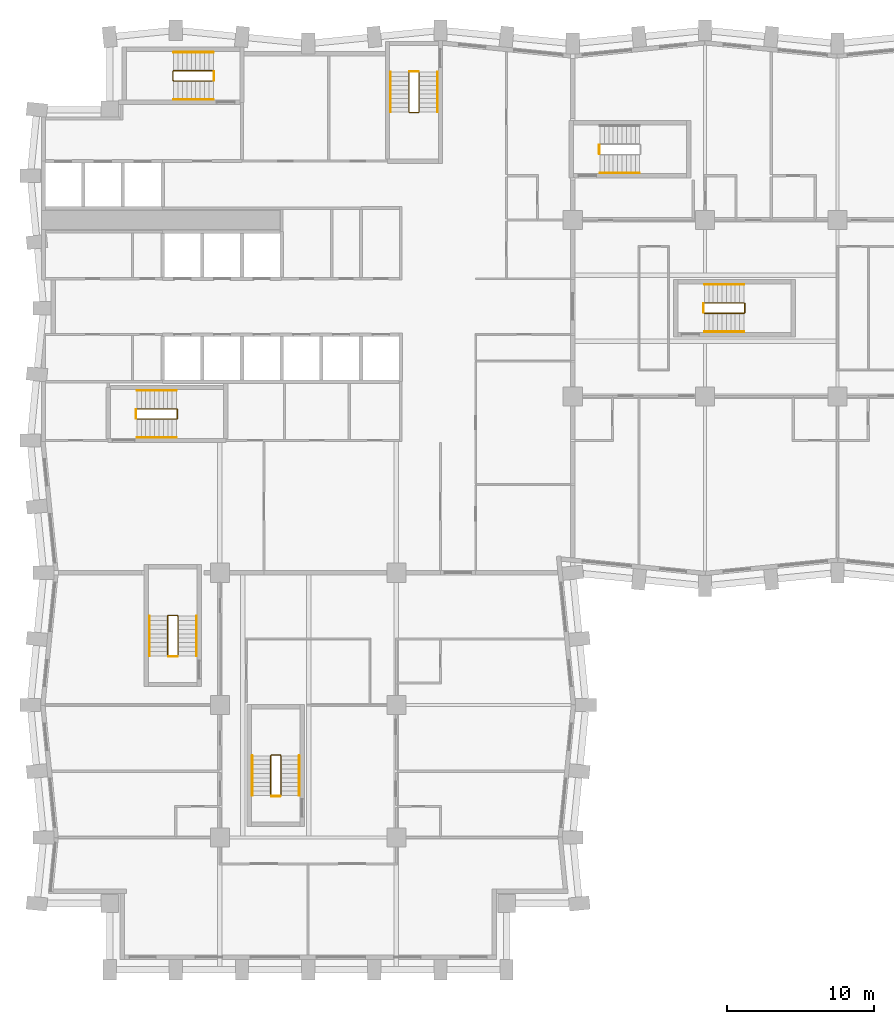
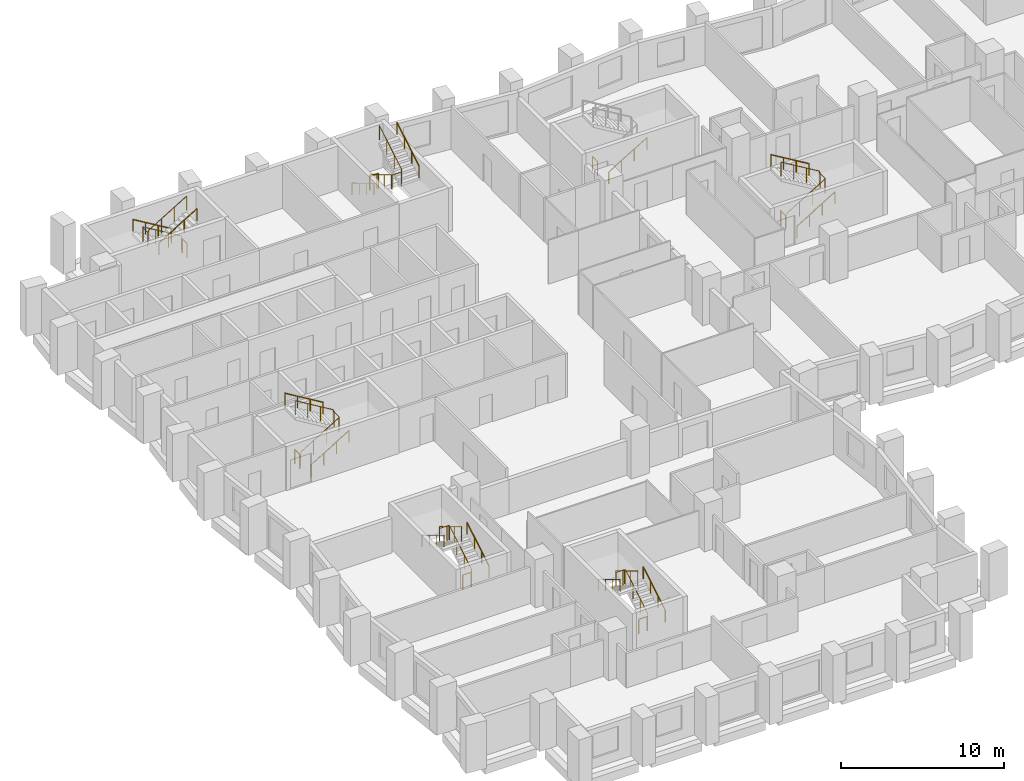
# One storey, part 11 of 12: 26 railings.
"""IFC4 building model written with IfcOpenShell, lengths in metres."""

from ifc_helpers import new_model, si_unit, direction, frame, origin, origin_2d, place, context, subcontext, project, spatial, circle, extrude, material, type_object, element, save


model = new_model("IFC4")

# Units and contexts
model_context = context("Model", 3, precision=1e-05, world=origin(), true_north=direction((0.0, 1.0)))
body_context = subcontext(model_context, "Body", "Model", "MODEL_VIEW")
ifc_project = project(units=[si_unit("LENGTHUNIT", "METRE"), si_unit("AREAUNIT", "SQUARE_METRE"), si_unit("VOLUMEUNIT", "CUBIC_METRE"), si_unit("PLANEANGLEUNIT", "RADIAN"), si_unit("MASSUNIT", "GRAM", prefix="KILO")], contexts=[model_context])

# Site, building, storey
site_placement = place(None, origin())
site = spatial("IfcSite", under=ifc_project, at=site_placement, CompositionType="ELEMENT")
building_placement = place(site_placement, origin())
building = spatial("IfcBuilding", under=site, at=building_placement, Name="Brondeck Convention Tower", CompositionType="ELEMENT")
storey_placement = place(building_placement, frame((0.0, 0.0, 62.699951171875)))
storey = spatial("IfcBuildingStorey", under=building, at=storey_placement, Name="L13", CompositionType="ELEMENT", Elevation=62.699951171875)

# Railings
ifc_material = material(Name="Steel S355", Category="steel")
railing_type_1 = type_object("IfcRailingType", Name="Stair guard 1100", PredefinedType="GUARDRAIL", material=ifc_material)
railing_1_placement = place(storey_placement, frame((6.35009765625, 37.449951171875, 0.179931640625)))
element("IfcRailing", 1, at=railing_1_placement, inside=storey, type_object=railing_type_1, Name="L13 ST-1 stair guard 1", PredefinedType="GUARDRAIL", context=body_context, shape_type="SweptSolid", body=[
    extrude(circle(Radius=0.02392578125, at=origin_2d()), frame((0.0, 0.0, 1.076171875), z_axis=(0.857472400752, 0.0, 0.514529962148), x_axis=(0.0, 1.0, 0.0)), (0.0, 0.0, 1.0), 3.148681640625),
    extrude(circle(Radius=0.02392578125, at=origin_2d()), frame((2.699951171875, 0.0, 2.6962890625), z_axis=(0.707106781187, 0.707106781187, 0.0), x_axis=(-0.707106781187, 0.707106781187, 0.0)), (0.0, 0.0, 1.0), 0.07080078125),
    extrude(circle(Radius=0.02392578125, at=origin_2d()), frame((2.75, 0.050048828125, 2.6962890625), z_axis=(0.0, 1.0, 0.0), x_axis=(-1.0, 0.0, 0.0)), (0.0, 0.0, 1.0), 0.60009765625),
    extrude(circle(Radius=0.02392578125, at=origin_2d()), frame((2.75, 0.650146484375, 2.6962890625), z_axis=(-0.258932105505, 0.257669022063, 0.930892496375), x_axis=(-0.705375805398, -0.708833529934, 0.0)), (0.0, 0.0, 1.0), 0.193359375),
    extrude(circle(Radius=0.02392578125, at=origin_2d()), frame((2.699951171875, 0.699951171875, 2.8759765625), z_axis=(-0.857472400752, 0.0, 0.514529962148), x_axis=(0.0, -1.0, 0.0)), (0.0, 0.0, 1.0), 3.148681640625),
    extrude(circle(Radius=0.02099609375, at=origin_2d()), origin(), (0.0, 0.0, 1.0), 1.052001953125),
    extrude(circle(Radius=0.02099609375, at=origin_2d()), frame((0.89990234375, 0.0, 0.5400390625)), (0.0, 0.0, 1.0), 1.052001953125),
    extrude(circle(Radius=0.02099609375, at=origin_2d()), frame((1.800048828125, 0.0, 1.080078125)), (0.0, 0.0, 1.0), 1.052001953125),
    extrude(circle(Radius=0.02099609375, at=origin_2d()), frame((2.699951171875, 0.0, 1.6201171875)), (0.0, 0.0, 1.0), 1.052001953125),
    extrude(circle(Radius=0.02099609375, at=origin_2d()), frame((2.75, 0.050048828125, 1.6201171875)), (0.0, 0.0, 1.0), 1.052001953125),
    extrude(circle(Radius=0.02099609375, at=origin_2d()), frame((2.75, 0.650146484375, 1.6201171875)), (0.0, 0.0, 1.0), 1.052001953125),
    extrude(circle(Radius=0.02099609375, at=origin_2d()), frame((2.699951171875, 0.699951171875, 1.800048828125)), (0.0, 0.0, 1.0), 1.052001953125),
    extrude(circle(Radius=0.02099609375, at=origin_2d()), frame((1.800048828125, 0.699951171875, 2.340087890625)), (0.0, 0.0, 1.0), 1.052001953125),
    extrude(circle(Radius=0.02099609375, at=origin_2d()), frame((0.89990234375, 0.699951171875, 2.880126953125)), (0.0, 0.0, 1.0), 1.052001953125),
    extrude(circle(Radius=0.02099609375, at=origin_2d()), frame((0.0, 0.699951171875, 3.420166015625)), (0.0, 0.0, 1.0), 1.052001953125),
])
railing_2_placement = place(storey_placement, frame((6.300048828125, 37.5, 0.0)))
element("IfcRailing", 2, at=railing_2_placement, inside=storey, type_object=railing_type_1, Name="L13 ST-1 stair guard 2", PredefinedType="GUARDRAIL", context=body_context, shape_type="SweptSolid", body=[
    extrude(circle(Radius=0.02392578125, at=origin_2d()), frame((0.0, 0.0, 1.076171875), z_axis=(0.0, 1.0, 0.0), x_axis=(-1.0, 0.0, 0.0)), (0.0, 0.0, 1.0), 0.60009765625),
    extrude(circle(Radius=0.02099609375, at=origin_2d()), origin(), (0.0, 0.0, 1.0), 1.052001953125),
    extrude(circle(Radius=0.02099609375, at=origin_2d()), frame((0.0, 0.60009765625, 0.0)), (0.0, 0.0, 1.0), 1.052001953125),
])
railing_3_placement = place(storey_placement, frame((24.85009765625, 61.050048828125, 0.179931640625)))
element("IfcRailing", 3, at=railing_3_placement, inside=storey, type_object=railing_type_1, Name="L13 ST-2 stair guard 1", PredefinedType="GUARDRAIL", context=body_context, shape_type="SweptSolid", body=[
    extrude(circle(Radius=0.02392578125, at=origin_2d()), frame((0.0, 0.0, 1.076171875), z_axis=(0.0, -0.857472400752, 0.514529962148), x_axis=(1.0, 0.0, 0.0)), (0.0, 0.0, 1.0), 3.148681640625),
    extrude(circle(Radius=0.02392578125, at=origin_2d()), frame((0.0, -2.699951171875, 2.6962890625), z_axis=(0.705375805398, -0.708833529934, 0.0), x_axis=(0.708833529934, 0.705375805398, 0.0)), (0.0, 0.0, 1.0), 0.070556640625),
    extrude(circle(Radius=0.02392578125, at=origin_2d()), frame((0.0498046875, -2.75, 2.6962890625), z_axis=(1.0, 0.0, 0.0), x_axis=(0.0, 1.0, 0.0)), (0.0, 0.0, 1.0), 0.60009765625),
    extrude(circle(Radius=0.02392578125, at=origin_2d()), frame((0.64990234375, -2.75, 2.6962890625), z_axis=(0.258847668887, 0.258847668887, 0.930588936439), x_axis=(-0.707106781187, 0.707106781187, 0.0)), (0.0, 0.0, 1.0), 0.193359375),
    extrude(circle(Radius=0.02392578125, at=origin_2d()), frame((0.699951171875, -2.699951171875, 2.8759765625), z_axis=(0.0, 0.857472400752, 0.514529962148), x_axis=(-1.0, 0.0, 0.0)), (0.0, 0.0, 1.0), 3.148681640625),
    extrude(circle(Radius=0.02099609375, at=origin_2d()), origin(), (0.0, 0.0, 1.0), 1.052001953125),
    extrude(circle(Radius=0.02099609375, at=origin_2d()), frame((0.0, -0.89990234375, 0.5400390625)), (0.0, 0.0, 1.0), 1.052001953125),
    extrude(circle(Radius=0.02099609375, at=origin_2d()), frame((0.0, -1.800048828125, 1.080078125)), (0.0, 0.0, 1.0), 1.052001953125),
    extrude(circle(Radius=0.02099609375, at=origin_2d()), frame((0.0, -2.699951171875, 1.6201171875)), (0.0, 0.0, 1.0), 1.052001953125),
    extrude(circle(Radius=0.02099609375, at=origin_2d()), frame((0.0498046875, -2.75, 1.6201171875)), (0.0, 0.0, 1.0), 1.052001953125),
    extrude(circle(Radius=0.02099609375, at=origin_2d()), frame((0.64990234375, -2.75, 1.6201171875)), (0.0, 0.0, 1.0), 1.052001953125),
    extrude(circle(Radius=0.02099609375, at=origin_2d()), frame((0.699951171875, -2.699951171875, 1.800048828125)), (0.0, 0.0, 1.0), 1.052001953125),
    extrude(circle(Radius=0.02099609375, at=origin_2d()), frame((0.699951171875, -1.800048828125, 2.340087890625)), (0.0, 0.0, 1.0), 1.052001953125),
    extrude(circle(Radius=0.02099609375, at=origin_2d()), frame((0.699951171875, -0.89990234375, 2.880126953125)), (0.0, 0.0, 1.0), 1.052001953125),
    extrude(circle(Radius=0.02099609375, at=origin_2d()), frame((0.699951171875, 0.0, 3.420166015625)), (0.0, 0.0, 1.0), 1.052001953125),
])
railing_4_placement = place(storey_placement, frame((24.89990234375, 61.10009765625, 0.0)))
element("IfcRailing", 4, at=railing_4_placement, inside=storey, type_object=railing_type_1, Name="L13 ST-2 stair guard 2", PredefinedType="GUARDRAIL", context=body_context, shape_type="SweptSolid", body=[
    extrude(circle(Radius=0.02392578125, at=origin_2d()), frame((0.0, 0.0, 1.076171875), z_axis=(1.0, 0.0, 0.0), x_axis=(0.0, 1.0, 0.0)), (0.0, 0.0, 1.0), 0.60009765625),
    extrude(circle(Radius=0.02099609375, at=origin_2d()), origin(), (0.0, 0.0, 1.0), 1.052001953125),
    extrude(circle(Radius=0.02099609375, at=origin_2d()), frame((0.60009765625, 0.0, 0.0)), (0.0, 0.0, 1.0), 1.052001953125),
])
railing_5_placement = place(storey_placement, frame((11.550048828125, 61.14990234375, 0.179931640625)))
element("IfcRailing", 5, at=railing_5_placement, inside=storey, type_object=railing_type_1, Name="L13 ST-3 stair guard 1", PredefinedType="GUARDRAIL", context=body_context, shape_type="SweptSolid", body=[
    extrude(circle(Radius=0.02392578125, at=origin_2d()), frame((0.0, 0.0, 1.076171875), z_axis=(-0.857472400752, 0.0, 0.514529962148), x_axis=(0.0, -1.0, 0.0)), (0.0, 0.0, 1.0), 3.148681640625),
    extrude(circle(Radius=0.02392578125, at=origin_2d()), frame((-2.699951171875, 0.0, 2.6962890625), z_axis=(-0.708833529934, -0.705375805398, 0.0), x_axis=(0.705375805398, -0.708833529934, 0.0)), (0.0, 0.0, 1.0), 0.070556640625),
    extrude(circle(Radius=0.02392578125, at=origin_2d()), frame((-2.75, -0.0498046875, 2.6962890625), z_axis=(0.0, -1.0, 0.0), x_axis=(1.0, 0.0, 0.0)), (0.0, 0.0, 1.0), 0.60009765625),
    extrude(circle(Radius=0.02392578125, at=origin_2d()), frame((-2.75, -0.64990234375, 2.6962890625), z_axis=(0.258847668887, -0.258847668887, 0.930588936439), x_axis=(0.707106781187, 0.707106781187, 0.0)), (0.0, 0.0, 1.0), 0.193359375),
    extrude(circle(Radius=0.02392578125, at=origin_2d()), frame((-2.699951171875, -0.699951171875, 2.8759765625), z_axis=(0.857472400752, 0.0, 0.514529962148), x_axis=(0.0, 1.0, 0.0)), (0.0, 0.0, 1.0), 3.148681640625),
    extrude(circle(Radius=0.02099609375, at=origin_2d()), origin(), (0.0, 0.0, 1.0), 1.052001953125),
    extrude(circle(Radius=0.02099609375, at=origin_2d()), frame((-0.89990234375, 0.0, 0.5400390625)), (0.0, 0.0, 1.0), 1.052001953125),
    extrude(circle(Radius=0.02099609375, at=origin_2d()), frame((-1.800048828125, 0.0, 1.080078125)), (0.0, 0.0, 1.0), 1.052001953125),
    extrude(circle(Radius=0.02099609375, at=origin_2d()), frame((-2.699951171875, 0.0, 1.6201171875)), (0.0, 0.0, 1.0), 1.052001953125),
    extrude(circle(Radius=0.02099609375, at=origin_2d()), frame((-2.75, -0.0498046875, 1.6201171875)), (0.0, 0.0, 1.0), 1.052001953125),
    extrude(circle(Radius=0.02099609375, at=origin_2d()), frame((-2.75, -0.64990234375, 1.6201171875)), (0.0, 0.0, 1.0), 1.052001953125),
    extrude(circle(Radius=0.02099609375, at=origin_2d()), frame((-2.699951171875, -0.699951171875, 1.800048828125)), (0.0, 0.0, 1.0), 1.052001953125),
    extrude(circle(Radius=0.02099609375, at=origin_2d()), frame((-1.800048828125, -0.699951171875, 2.340087890625)), (0.0, 0.0, 1.0), 1.052001953125),
    extrude(circle(Radius=0.02099609375, at=origin_2d()), frame((-0.89990234375, -0.699951171875, 2.880126953125)), (0.0, 0.0, 1.0), 1.052001953125),
    extrude(circle(Radius=0.02099609375, at=origin_2d()), frame((0.0, -0.699951171875, 3.420166015625)), (0.0, 0.0, 1.0), 1.052001953125),
])
railing_6_placement = place(storey_placement, frame((11.60009765625, 61.10009765625, 0.0)))
element("IfcRailing", 6, at=railing_6_placement, inside=storey, type_object=railing_type_1, Name="L13 ST-3 stair guard 2", PredefinedType="GUARDRAIL", context=body_context, shape_type="SweptSolid", body=[
    extrude(circle(Radius=0.02392578125, at=origin_2d()), frame((0.0, 0.0, 1.076171875), z_axis=(0.0, -1.0, 0.0), x_axis=(1.0, 0.0, 0.0)), (0.0, 0.0, 1.0), 0.60009765625),
    extrude(circle(Radius=0.02099609375, at=origin_2d()), origin(), (0.0, 0.0, 1.0), 1.052001953125),
    extrude(circle(Radius=0.02099609375, at=origin_2d()), frame((0.0, -0.60009765625, 0.0)), (0.0, 0.0, 1.0), 1.052001953125),
])
railing_7_placement = place(storey_placement, frame((37.800048828125, 55.5, 0.0)))
element("IfcRailing", 7, at=railing_7_placement, inside=storey, type_object=railing_type_1, Name="L13 ST-AE stair guard 2", PredefinedType="GUARDRAIL", context=body_context, shape_type="SweptSolid", body=[
    extrude(circle(Radius=0.02392578125, at=origin_2d()), frame((0.0, 0.0, 1.076171875), z_axis=(0.0, 1.0, 0.0), x_axis=(-1.0, 0.0, 0.0)), (0.0, 0.0, 1.0), 0.60009765625),
    extrude(circle(Radius=0.02099609375, at=origin_2d()), origin(), (0.0, 0.0, 1.0), 1.052001953125),
    extrude(circle(Radius=0.02099609375, at=origin_2d()), frame((0.0, 0.60009765625, 0.0)), (0.0, 0.0, 1.0), 1.052001953125),
])
railing_8_placement = place(storey_placement, frame((9.14990234375, 21.35009765625, 0.179931640625)))
element("IfcRailing", 8, at=railing_8_placement, inside=storey, type_object=railing_type_1, Name="L13 ST-BE stair guard 1", PredefinedType="GUARDRAIL", context=body_context, shape_type="SweptSolid", body=[
    extrude(circle(Radius=0.02392578125, at=origin_2d()), frame((0.0, 0.0, 1.076171875), z_axis=(0.0, 0.857472400752, 0.514529962148), x_axis=(-1.0, 0.0, 0.0)), (0.0, 0.0, 1.0), 3.148681640625),
    extrude(circle(Radius=0.02392578125, at=origin_2d()), frame((0.0, 2.699951171875, 2.6962890625), z_axis=(-0.705375805398, 0.708833529934, 0.0), x_axis=(-0.708833529934, -0.705375805398, 0.0)), (0.0, 0.0, 1.0), 0.070556640625),
    extrude(circle(Radius=0.02392578125, at=origin_2d()), frame((-0.0498046875, 2.75, 2.6962890625), z_axis=(-1.0, 0.0, 0.0), x_axis=(0.0, -1.0, 0.0)), (0.0, 0.0, 1.0), 0.60009765625),
    extrude(circle(Radius=0.02392578125, at=origin_2d()), frame((-0.64990234375, 2.75, 2.6962890625), z_axis=(-0.258847668887, -0.258847668887, 0.930588936439), x_axis=(0.707106781187, -0.707106781187, 0.0)), (0.0, 0.0, 1.0), 0.193359375),
    extrude(circle(Radius=0.02392578125, at=origin_2d()), frame((-0.699951171875, 2.699951171875, 2.8759765625), z_axis=(0.0, -0.857472400752, 0.514529962148), x_axis=(1.0, 0.0, 0.0)), (0.0, 0.0, 1.0), 3.148681640625),
    extrude(circle(Radius=0.02099609375, at=origin_2d()), origin(), (0.0, 0.0, 1.0), 1.052001953125),
    extrude(circle(Radius=0.02099609375, at=origin_2d()), frame((0.0, 0.89990234375, 0.5400390625)), (0.0, 0.0, 1.0), 1.052001953125),
    extrude(circle(Radius=0.02099609375, at=origin_2d()), frame((0.0, 1.800048828125, 1.080078125)), (0.0, 0.0, 1.0), 1.052001953125),
    extrude(circle(Radius=0.02099609375, at=origin_2d()), frame((0.0, 2.699951171875, 1.6201171875)), (0.0, 0.0, 1.0), 1.052001953125),
    extrude(circle(Radius=0.02099609375, at=origin_2d()), frame((-0.0498046875, 2.75, 1.6201171875)), (0.0, 0.0, 1.0), 1.052001953125),
    extrude(circle(Radius=0.02099609375, at=origin_2d()), frame((-0.64990234375, 2.75, 1.6201171875)), (0.0, 0.0, 1.0), 1.052001953125),
    extrude(circle(Radius=0.02099609375, at=origin_2d()), frame((-0.699951171875, 2.699951171875, 1.800048828125)), (0.0, 0.0, 1.0), 1.052001953125),
    extrude(circle(Radius=0.02099609375, at=origin_2d()), frame((-0.699951171875, 1.800048828125, 2.340087890625)), (0.0, 0.0, 1.0), 1.052001953125),
    extrude(circle(Radius=0.02099609375, at=origin_2d()), frame((-0.699951171875, 0.89990234375, 2.880126953125)), (0.0, 0.0, 1.0), 1.052001953125),
    extrude(circle(Radius=0.02099609375, at=origin_2d()), frame((-0.699951171875, 0.0, 3.420166015625)), (0.0, 0.0, 1.0), 1.052001953125),
])
railing_9_placement = place(storey_placement, frame((9.10009765625, 21.300048828125, 0.0)))
element("IfcRailing", 9, at=railing_9_placement, inside=storey, type_object=railing_type_1, Name="L13 ST-BE stair guard 2", PredefinedType="GUARDRAIL", context=body_context, shape_type="SweptSolid", body=[
    extrude(circle(Radius=0.02392578125, at=origin_2d()), frame((0.0, 0.0, 1.076171875), z_axis=(-1.0, 0.0, 0.0), x_axis=(0.0, -1.0, 0.0)), (0.0, 0.0, 1.0), 0.60009765625),
    extrude(circle(Radius=0.02099609375, at=origin_2d()), origin(), (0.0, 0.0, 1.0), 1.052001953125),
    extrude(circle(Radius=0.02099609375, at=origin_2d()), frame((-0.60009765625, 0.0, 0.0)), (0.0, 0.0, 1.0), 1.052001953125),
])
railing_10_placement = place(storey_placement, frame((44.949951171875, 44.64990234375, 0.179931640625)))
element("IfcRailing", 10, at=railing_10_placement, inside=storey, type_object=railing_type_1, Name="L13 ST-AF stair guard 1", PredefinedType="GUARDRAIL", context=body_context, shape_type="SweptSolid", body=[
    extrude(circle(Radius=0.02392578125, at=origin_2d()), frame((0.0, 0.0, 1.076171875), z_axis=(0.857472400752, 0.0, 0.514529962148), x_axis=(0.0, 1.0, 0.0)), (0.0, 0.0, 1.0), 3.148681640625),
    extrude(circle(Radius=0.02392578125, at=origin_2d()), frame((2.699951171875, 0.0, 2.6962890625), z_axis=(0.707106781187, 0.707106781187, 0.0), x_axis=(-0.707106781187, 0.707106781187, 0.0)), (0.0, 0.0, 1.0), 0.07080078125),
    extrude(circle(Radius=0.02392578125, at=origin_2d()), frame((2.75, 0.050048828125, 2.6962890625), z_axis=(0.0, 1.0, 0.0), x_axis=(-1.0, 0.0, 0.0)), (0.0, 0.0, 1.0), 0.60009765625),
    extrude(circle(Radius=0.02392578125, at=origin_2d()), frame((2.75, 0.650146484375, 2.6962890625), z_axis=(-0.258847668887, 0.258847668887, 0.930588936439), x_axis=(-0.707106781187, -0.707106781187, 0.0)), (0.0, 0.0, 1.0), 0.193359375),
    extrude(circle(Radius=0.02392578125, at=origin_2d()), frame((2.699951171875, 0.7001953125, 2.8759765625), z_axis=(-0.857472400752, 0.0, 0.514529962148), x_axis=(0.0, -1.0, 0.0)), (0.0, 0.0, 1.0), 3.148681640625),
    extrude(circle(Radius=0.02099609375, at=origin_2d()), origin(), (0.0, 0.0, 1.0), 1.052001953125),
    extrude(circle(Radius=0.02099609375, at=origin_2d()), frame((0.89990234375, 0.0, 0.5400390625)), (0.0, 0.0, 1.0), 1.052001953125),
    extrude(circle(Radius=0.02099609375, at=origin_2d()), frame((1.800048828125, 0.0, 1.080078125)), (0.0, 0.0, 1.0), 1.052001953125),
    extrude(circle(Radius=0.02099609375, at=origin_2d()), frame((2.699951171875, 0.0, 1.6201171875)), (0.0, 0.0, 1.0), 1.052001953125),
    extrude(circle(Radius=0.02099609375, at=origin_2d()), frame((2.75, 0.050048828125, 1.6201171875)), (0.0, 0.0, 1.0), 1.052001953125),
    extrude(circle(Radius=0.02099609375, at=origin_2d()), frame((2.75, 0.650146484375, 1.6201171875)), (0.0, 0.0, 1.0), 1.052001953125),
    extrude(circle(Radius=0.02099609375, at=origin_2d()), frame((2.699951171875, 0.7001953125, 1.800048828125)), (0.0, 0.0, 1.0), 1.052001953125),
    extrude(circle(Radius=0.02099609375, at=origin_2d()), frame((1.800048828125, 0.7001953125, 2.340087890625)), (0.0, 0.0, 1.0), 1.052001953125),
    extrude(circle(Radius=0.02099609375, at=origin_2d()), frame((0.89990234375, 0.7001953125, 2.880126953125)), (0.0, 0.0, 1.0), 1.052001953125),
    extrude(circle(Radius=0.02099609375, at=origin_2d()), frame((0.0, 0.7001953125, 3.420166015625)), (0.0, 0.0, 1.0), 1.052001953125),
])
railing_11_placement = place(storey_placement, frame((44.89990234375, 44.699951171875, 0.0)))
element("IfcRailing", 11, at=railing_11_placement, inside=storey, type_object=railing_type_1, Name="L13 ST-AF stair guard 2", PredefinedType="GUARDRAIL", context=body_context, shape_type="SweptSolid", body=[
    extrude(circle(Radius=0.02392578125, at=origin_2d()), frame((0.0, 0.0, 1.076171875), z_axis=(0.0, 1.0, 0.0), x_axis=(-1.0, 0.0, 0.0)), (0.0, 0.0, 1.0), 0.60009765625),
    extrude(circle(Radius=0.02099609375, at=origin_2d()), origin(), (0.0, 0.0, 1.0), 1.052001953125),
    extrude(circle(Radius=0.02099609375, at=origin_2d()), frame((0.0, 0.60009765625, 0.0)), (0.0, 0.0, 1.0), 1.052001953125),
])
railing_12_placement = place(storey_placement, frame((16.14990234375, 11.85009765625, 0.179931640625)))
element("IfcRailing", 12, at=railing_12_placement, inside=storey, type_object=railing_type_1, Name="L13 ST-BF stair guard 1", PredefinedType="GUARDRAIL", context=body_context, shape_type="SweptSolid", body=[
    extrude(circle(Radius=0.02392578125, at=origin_2d()), frame((0.0, 0.0, 1.076171875), z_axis=(0.0, 0.857472400752, 0.514529962148), x_axis=(-1.0, 0.0, 0.0)), (0.0, 0.0, 1.0), 3.148681640625),
    extrude(circle(Radius=0.02392578125, at=origin_2d()), frame((0.0, 2.699951171875, 2.6962890625), z_axis=(-0.705375805398, 0.708833529934, 0.0), x_axis=(-0.708833529934, -0.705375805398, 0.0)), (0.0, 0.0, 1.0), 0.070556640625),
    extrude(circle(Radius=0.02392578125, at=origin_2d()), frame((-0.0498046875, 2.75, 2.6962890625), z_axis=(-1.0, 0.0, 0.0), x_axis=(0.0, -1.0, 0.0)), (0.0, 0.0, 1.0), 0.60009765625),
    extrude(circle(Radius=0.02392578125, at=origin_2d()), frame((-0.64990234375, 2.75, 2.6962890625), z_axis=(-0.258847668887, -0.258847668887, 0.930588936439), x_axis=(0.707106781187, -0.707106781187, 0.0)), (0.0, 0.0, 1.0), 0.193359375),
    extrude(circle(Radius=0.02392578125, at=origin_2d()), frame((-0.699951171875, 2.699951171875, 2.8759765625), z_axis=(0.0, -0.857472400752, 0.514529962148), x_axis=(1.0, 0.0, 0.0)), (0.0, 0.0, 1.0), 3.148681640625),
    extrude(circle(Radius=0.02099609375, at=origin_2d()), origin(), (0.0, 0.0, 1.0), 1.052001953125),
    extrude(circle(Radius=0.02099609375, at=origin_2d()), frame((0.0, 0.89990234375, 0.5400390625)), (0.0, 0.0, 1.0), 1.052001953125),
    extrude(circle(Radius=0.02099609375, at=origin_2d()), frame((0.0, 1.800048828125, 1.080078125)), (0.0, 0.0, 1.0), 1.052001953125),
    extrude(circle(Radius=0.02099609375, at=origin_2d()), frame((0.0, 2.699951171875, 1.6201171875)), (0.0, 0.0, 1.0), 1.052001953125),
    extrude(circle(Radius=0.02099609375, at=origin_2d()), frame((-0.0498046875, 2.75, 1.6201171875)), (0.0, 0.0, 1.0), 1.052001953125),
    extrude(circle(Radius=0.02099609375, at=origin_2d()), frame((-0.64990234375, 2.75, 1.6201171875)), (0.0, 0.0, 1.0), 1.052001953125),
    extrude(circle(Radius=0.02099609375, at=origin_2d()), frame((-0.699951171875, 2.699951171875, 1.800048828125)), (0.0, 0.0, 1.0), 1.052001953125),
    extrude(circle(Radius=0.02099609375, at=origin_2d()), frame((-0.699951171875, 1.800048828125, 2.340087890625)), (0.0, 0.0, 1.0), 1.052001953125),
    extrude(circle(Radius=0.02099609375, at=origin_2d()), frame((-0.699951171875, 0.89990234375, 2.880126953125)), (0.0, 0.0, 1.0), 1.052001953125),
    extrude(circle(Radius=0.02099609375, at=origin_2d()), frame((-0.699951171875, 0.0, 3.420166015625)), (0.0, 0.0, 1.0), 1.052001953125),
])
railing_13_placement = place(storey_placement, frame((16.10009765625, 11.800048828125, 0.0)))
element("IfcRailing", 13, at=railing_13_placement, inside=storey, type_object=railing_type_1, Name="L13 ST-BF stair guard 2", PredefinedType="GUARDRAIL", context=body_context, shape_type="SweptSolid", body=[
    extrude(circle(Radius=0.02392578125, at=origin_2d()), frame((0.0, 0.0, 1.076171875), z_axis=(-1.0, 0.0, 0.0), x_axis=(0.0, -1.0, 0.0)), (0.0, 0.0, 1.0), 0.60009765625),
    extrude(circle(Radius=0.02099609375, at=origin_2d()), origin(), (0.0, 0.0, 1.0), 1.052001953125),
    extrude(circle(Radius=0.02099609375, at=origin_2d()), frame((-0.60009765625, 0.0, 0.0)), (0.0, 0.0, 1.0), 1.052001953125),
])
railing_type_2 = type_object("IfcRailingType", Name="Stair handrail", PredefinedType="HANDRAIL", material=ifc_material)
railing_14_placement = place(storey_placement, frame((6.35009765625, 36.199951171875, 0.179931640625)))
element("IfcRailing", 14, at=railing_14_placement, inside=storey, type_object=railing_type_2, Name="L13 ST-1 stair handrail 1", PredefinedType="HANDRAIL", context=body_context, shape_type="SweptSolid", body=[
    extrude(circle(Radius=0.02392578125, at=origin_2d()), frame((0.0, 0.0, 0.8759765625), z_axis=(0.857472400752, 0.0, 0.514529962148), x_axis=(0.0, 1.0, 0.0)), (0.0, 0.0, 1.0), 3.148681640625),
    extrude(circle(Radius=0.02099609375, at=origin_2d()), origin(), (0.0, 0.0, 1.0), 0.851806640625),
    extrude(circle(Radius=0.02099609375, at=origin_2d()), frame((0.89990234375, 0.0, 0.5400390625)), (0.0, 0.0, 1.0), 0.851806640625),
    extrude(circle(Radius=0.02099609375, at=origin_2d()), frame((1.800048828125, 0.0, 1.080078125)), (0.0, 0.0, 1.0), 0.851806640625),
    extrude(circle(Radius=0.02099609375, at=origin_2d()), frame((2.699951171875, 0.0, 1.6201171875)), (0.0, 0.0, 1.0), 0.851806640625),
])
railing_15_placement = place(storey_placement, frame((9.050048828125, 39.39990234375, 1.97998046875)))
element("IfcRailing", 15, at=railing_15_placement, inside=storey, type_object=railing_type_2, Name="L13 ST-1 stair handrail 2", PredefinedType="HANDRAIL", context=body_context, shape_type="SweptSolid", body=[
    extrude(circle(Radius=0.02392578125, at=origin_2d()), frame((0.0, 0.0, 0.8759765625), z_axis=(-0.857472400752, 0.0, 0.514529962148), x_axis=(0.0, -1.0, 0.0)), (0.0, 0.0, 1.0), 3.148681640625),
    extrude(circle(Radius=0.02099609375, at=origin_2d()), origin(), (0.0, 0.0, 1.0), 0.851806640625),
    extrude(circle(Radius=0.02099609375, at=origin_2d()), frame((-0.89990234375, 0.0, 0.5400390625)), (0.0, 0.0, 1.0), 0.851806640625),
    extrude(circle(Radius=0.02099609375, at=origin_2d()), frame((-1.800048828125, 0.0, 1.080078125)), (0.0, 0.0, 1.0), 0.851806640625),
    extrude(circle(Radius=0.02099609375, at=origin_2d()), frame((-2.699951171875, 0.0, 1.6201171875)), (0.0, 0.0, 1.0), 0.851806640625),
])
railing_16_placement = place(storey_placement, frame((23.60009765625, 61.050048828125, 0.179931640625)))
element("IfcRailing", 16, at=railing_16_placement, inside=storey, type_object=railing_type_2, Name="L13 ST-2 stair handrail 1", PredefinedType="HANDRAIL", context=body_context, shape_type="SweptSolid", body=[
    extrude(circle(Radius=0.02392578125, at=origin_2d()), frame((0.0, 0.0, 0.8759765625), z_axis=(0.0, -0.857472400752, 0.514529962148), x_axis=(1.0, 0.0, 0.0)), (0.0, 0.0, 1.0), 3.148681640625),
    extrude(circle(Radius=0.02099609375, at=origin_2d()), origin(), (0.0, 0.0, 1.0), 0.851806640625),
    extrude(circle(Radius=0.02099609375, at=origin_2d()), frame((0.0, -0.89990234375, 0.5400390625)), (0.0, 0.0, 1.0), 0.851806640625),
    extrude(circle(Radius=0.02099609375, at=origin_2d()), frame((0.0, -1.800048828125, 1.080078125)), (0.0, 0.0, 1.0), 0.851806640625),
    extrude(circle(Radius=0.02099609375, at=origin_2d()), frame((0.0, -2.699951171875, 1.6201171875)), (0.0, 0.0, 1.0), 0.851806640625),
])
railing_17_placement = place(storey_placement, frame((26.800048828125, 58.35009765625, 1.97998046875)))
element("IfcRailing", 17, at=railing_17_placement, inside=storey, type_object=railing_type_2, Name="L13 ST-2 stair handrail 2", PredefinedType="HANDRAIL", context=body_context, shape_type="SweptSolid", body=[
    extrude(circle(Radius=0.02392578125, at=origin_2d()), frame((0.0, 0.0, 0.8759765625), z_axis=(0.0, 0.857472400752, 0.514529962148), x_axis=(-1.0, 0.0, 0.0)), (0.0, 0.0, 1.0), 3.148681640625),
    extrude(circle(Radius=0.02099609375, at=origin_2d()), origin(), (0.0, 0.0, 1.0), 0.851806640625),
    extrude(circle(Radius=0.02099609375, at=origin_2d()), frame((0.0, 0.89990234375, 0.5400390625)), (0.0, 0.0, 1.0), 0.851806640625),
    extrude(circle(Radius=0.02099609375, at=origin_2d()), frame((0.0, 1.800048828125, 1.080078125)), (0.0, 0.0, 1.0), 0.851806640625),
    extrude(circle(Radius=0.02099609375, at=origin_2d()), frame((0.0, 2.699951171875, 1.6201171875)), (0.0, 0.0, 1.0), 0.851806640625),
])
railing_18_placement = place(storey_placement, frame((11.550048828125, 62.39990234375, 0.179931640625)))
element("IfcRailing", 18, at=railing_18_placement, inside=storey, type_object=railing_type_2, Name="L13 ST-3 stair handrail 1", PredefinedType="HANDRAIL", context=body_context, shape_type="SweptSolid", body=[
    extrude(circle(Radius=0.02392578125, at=origin_2d()), frame((0.0, 0.0, 0.8759765625), z_axis=(-0.857472400752, 0.0, 0.514529962148), x_axis=(0.0, -1.0, 0.0)), (0.0, 0.0, 1.0), 3.148681640625),
    extrude(circle(Radius=0.02099609375, at=origin_2d()), origin(), (0.0, 0.0, 1.0), 0.851806640625),
    extrude(circle(Radius=0.02099609375, at=origin_2d()), frame((-0.89990234375, 0.0, 0.5400390625)), (0.0, 0.0, 1.0), 0.851806640625),
    extrude(circle(Radius=0.02099609375, at=origin_2d()), frame((-1.800048828125, 0.0, 1.080078125)), (0.0, 0.0, 1.0), 0.851806640625),
    extrude(circle(Radius=0.02099609375, at=origin_2d()), frame((-2.699951171875, 0.0, 1.6201171875)), (0.0, 0.0, 1.0), 0.851806640625),
])
for number, where, name in (
    (19, (8.85009765625, 59.199951171875, 1.97998046875), "L13 ST-3 stair handrail 2"),
    (20, (37.85009765625, 54.199951171875, 0.179931640625), "L13 ST-AE stair handrail 1"),
):
    element("IfcRailing", number, at=place(storey_placement, frame(where)), inside=storey, type_object=railing_type_2, Name=name, PredefinedType="HANDRAIL", context=body_context, shape_type="SweptSolid", body=[
        extrude(circle(Radius=0.02392578125, at=origin_2d()), frame((0.0, 0.0, 0.8759765625), z_axis=(0.857472400752, 0.0, 0.514529962148), x_axis=(0.0, 1.0, 0.0)), (0.0, 0.0, 1.0), 3.148681640625),
        extrude(circle(Radius=0.02099609375, at=origin_2d()), origin(), (0.0, 0.0, 1.0), 0.851806640625),
        extrude(circle(Radius=0.02099609375, at=origin_2d()), frame((0.89990234375, 0.0, 0.5400390625)), (0.0, 0.0, 1.0), 0.851806640625),
        extrude(circle(Radius=0.02099609375, at=origin_2d()), frame((1.800048828125, 0.0, 1.080078125)), (0.0, 0.0, 1.0), 0.851806640625),
        extrude(circle(Radius=0.02099609375, at=origin_2d()), frame((2.699951171875, 0.0, 1.6201171875)), (0.0, 0.0, 1.0), 0.851806640625),
    ])
railing_19_placement = place(storey_placement, frame((10.39990234375, 21.35009765625, 0.179931640625)))
element("IfcRailing", 21, at=railing_19_placement, inside=storey, type_object=railing_type_2, Name="L13 ST-BE stair handrail 1", PredefinedType="HANDRAIL", context=body_context, shape_type="SweptSolid", body=[
    extrude(circle(Radius=0.02392578125, at=origin_2d()), frame((0.0, 0.0, 0.8759765625), z_axis=(0.0, 0.857472400752, 0.514529962148), x_axis=(-1.0, 0.0, 0.0)), (0.0, 0.0, 1.0), 3.148681640625),
    extrude(circle(Radius=0.02099609375, at=origin_2d()), origin(), (0.0, 0.0, 1.0), 0.851806640625),
    extrude(circle(Radius=0.02099609375, at=origin_2d()), frame((0.0, 0.89990234375, 0.5400390625)), (0.0, 0.0, 1.0), 0.851806640625),
    extrude(circle(Radius=0.02099609375, at=origin_2d()), frame((0.0, 1.800048828125, 1.080078125)), (0.0, 0.0, 1.0), 0.851806640625),
    extrude(circle(Radius=0.02099609375, at=origin_2d()), frame((0.0, 2.699951171875, 1.6201171875)), (0.0, 0.0, 1.0), 0.851806640625),
])
railing_20_placement = place(storey_placement, frame((7.199951171875, 24.050048828125, 1.97998046875)))
element("IfcRailing", 22, at=railing_20_placement, inside=storey, type_object=railing_type_2, Name="L13 ST-BE stair handrail 2", PredefinedType="HANDRAIL", context=body_context, shape_type="SweptSolid", body=[
    extrude(circle(Radius=0.02392578125, at=origin_2d()), frame((0.0, 0.0, 0.8759765625), z_axis=(0.0, -0.857472400752, 0.514529962148), x_axis=(1.0, 0.0, 0.0)), (0.0, 0.0, 1.0), 3.148681640625),
    extrude(circle(Radius=0.02099609375, at=origin_2d()), origin(), (0.0, 0.0, 1.0), 0.851806640625),
    extrude(circle(Radius=0.02099609375, at=origin_2d()), frame((0.0, -0.89990234375, 0.5400390625)), (0.0, 0.0, 1.0), 0.851806640625),
    extrude(circle(Radius=0.02099609375, at=origin_2d()), frame((0.0, -1.800048828125, 1.080078125)), (0.0, 0.0, 1.0), 0.851806640625),
    extrude(circle(Radius=0.02099609375, at=origin_2d()), frame((0.0, -2.699951171875, 1.6201171875)), (0.0, 0.0, 1.0), 0.851806640625),
])
railing_21_placement = place(storey_placement, frame((44.949951171875, 43.39990234375, 0.179931640625)))
element("IfcRailing", 23, at=railing_21_placement, inside=storey, type_object=railing_type_2, Name="L13 ST-AF stair handrail 1", PredefinedType="HANDRAIL", context=body_context, shape_type="SweptSolid", body=[
    extrude(circle(Radius=0.02392578125, at=origin_2d()), frame((0.0, 0.0, 0.8759765625), z_axis=(0.857472400752, 0.0, 0.514529962148), x_axis=(0.0, 1.0, 0.0)), (0.0, 0.0, 1.0), 3.148681640625),
    extrude(circle(Radius=0.02099609375, at=origin_2d()), origin(), (0.0, 0.0, 1.0), 0.851806640625),
    extrude(circle(Radius=0.02099609375, at=origin_2d()), frame((0.89990234375, 0.0, 0.5400390625)), (0.0, 0.0, 1.0), 0.851806640625),
    extrude(circle(Radius=0.02099609375, at=origin_2d()), frame((1.800048828125, 0.0, 1.080078125)), (0.0, 0.0, 1.0), 0.851806640625),
    extrude(circle(Radius=0.02099609375, at=origin_2d()), frame((2.699951171875, 0.0, 1.6201171875)), (0.0, 0.0, 1.0), 0.851806640625),
])
railing_22_placement = place(storey_placement, frame((47.64990234375, 46.60009765625, 1.97998046875)))
element("IfcRailing", 24, at=railing_22_placement, inside=storey, type_object=railing_type_2, Name="L13 ST-AF stair handrail 2", PredefinedType="HANDRAIL", context=body_context, shape_type="SweptSolid", body=[
    extrude(circle(Radius=0.02392578125, at=origin_2d()), frame((0.0, 0.0, 0.8759765625), z_axis=(-0.857472400752, 0.0, 0.514529962148), x_axis=(0.0, -1.0, 0.0)), (0.0, 0.0, 1.0), 3.148681640625),
    extrude(circle(Radius=0.02099609375, at=origin_2d()), origin(), (0.0, 0.0, 1.0), 0.851806640625),
    extrude(circle(Radius=0.02099609375, at=origin_2d()), frame((-0.89990234375, 0.0, 0.5400390625)), (0.0, 0.0, 1.0), 0.851806640625),
    extrude(circle(Radius=0.02099609375, at=origin_2d()), frame((-1.800048828125, 0.0, 1.080078125)), (0.0, 0.0, 1.0), 0.851806640625),
    extrude(circle(Radius=0.02099609375, at=origin_2d()), frame((-2.699951171875, 0.0, 1.6201171875)), (0.0, 0.0, 1.0), 0.851806640625),
])
railing_23_placement = place(storey_placement, frame((17.39990234375, 11.85009765625, 0.179931640625)))
element("IfcRailing", 25, at=railing_23_placement, inside=storey, type_object=railing_type_2, Name="L13 ST-BF stair handrail 1", PredefinedType="HANDRAIL", context=body_context, shape_type="SweptSolid", body=[
    extrude(circle(Radius=0.02392578125, at=origin_2d()), frame((0.0, 0.0, 0.8759765625), z_axis=(0.0, 0.857472400752, 0.514529962148), x_axis=(-1.0, 0.0, 0.0)), (0.0, 0.0, 1.0), 3.148681640625),
    extrude(circle(Radius=0.02099609375, at=origin_2d()), origin(), (0.0, 0.0, 1.0), 0.851806640625),
    extrude(circle(Radius=0.02099609375, at=origin_2d()), frame((0.0, 0.89990234375, 0.5400390625)), (0.0, 0.0, 1.0), 0.851806640625),
    extrude(circle(Radius=0.02099609375, at=origin_2d()), frame((0.0, 1.800048828125, 1.080078125)), (0.0, 0.0, 1.0), 0.851806640625),
    extrude(circle(Radius=0.02099609375, at=origin_2d()), frame((0.0, 2.699951171875, 1.6201171875)), (0.0, 0.0, 1.0), 0.851806640625),
])
railing_24_placement = place(storey_placement, frame((14.199951171875, 14.550048828125, 1.97998046875)))
element("IfcRailing", 26, at=railing_24_placement, inside=storey, type_object=railing_type_2, Name="L13 ST-BF stair handrail 2", PredefinedType="HANDRAIL", context=body_context, shape_type="SweptSolid", body=[
    extrude(circle(Radius=0.02392578125, at=origin_2d()), frame((0.0, 0.0, 0.8759765625), z_axis=(0.0, -0.857472400752, 0.514529962148), x_axis=(1.0, 0.0, 0.0)), (0.0, 0.0, 1.0), 3.148681640625),
    extrude(circle(Radius=0.02099609375, at=origin_2d()), origin(), (0.0, 0.0, 1.0), 0.851806640625),
    extrude(circle(Radius=0.02099609375, at=origin_2d()), frame((0.0, -0.89990234375, 0.5400390625)), (0.0, 0.0, 1.0), 0.851806640625),
    extrude(circle(Radius=0.02099609375, at=origin_2d()), frame((0.0, -1.800048828125, 1.080078125)), (0.0, 0.0, 1.0), 0.851806640625),
    extrude(circle(Radius=0.02099609375, at=origin_2d()), frame((0.0, -2.699951171875, 1.6201171875)), (0.0, 0.0, 1.0), 0.851806640625),
])

save(model, "model.ifc")
